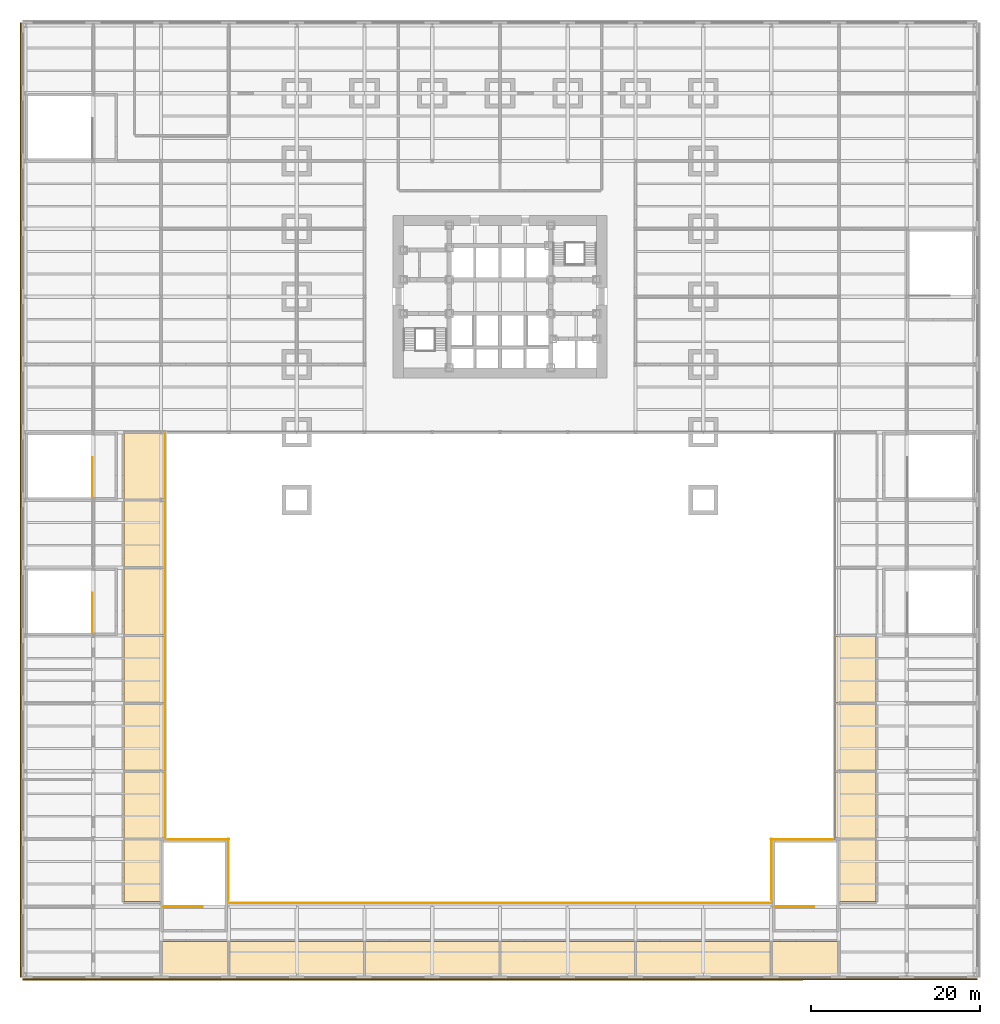
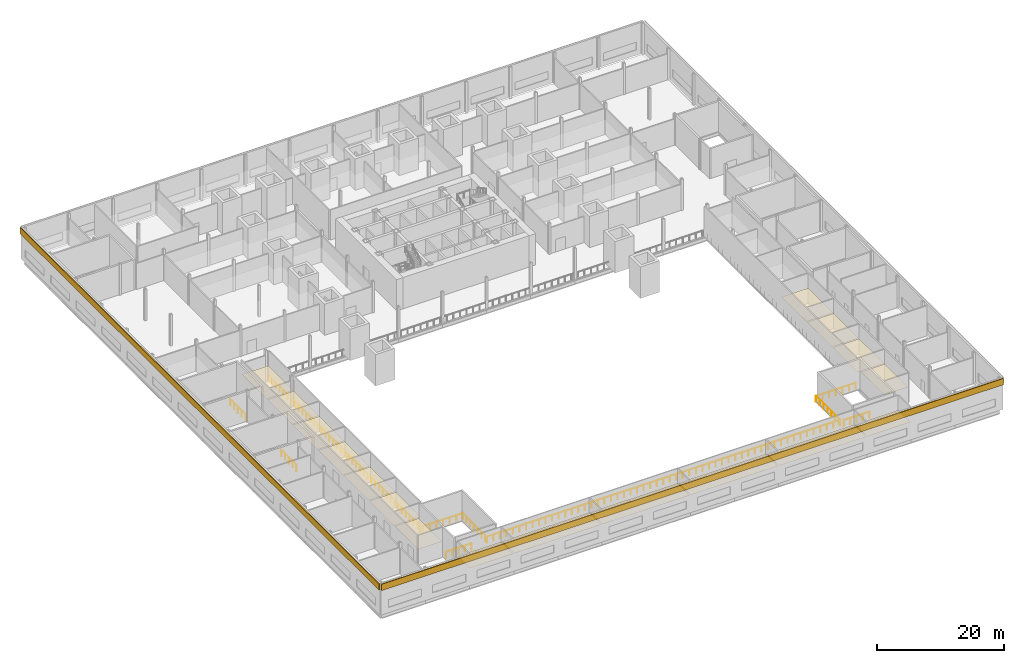
# One storey, part 18 of 21: 19 coverings, 10 railings.
"""IFC4 building model written with IfcOpenShell, lengths in metres."""

from ifc_helpers import new_model, si_unit, direction, frame, origin, origin_2d, place, context, subcontext, project, spatial, polyline, rectangle, circle, outline, extrude, material, layer, layer_set, type_object, element, save


model = new_model("IFC4")

# Units and contexts
model_context = context("Model", 3, precision=1e-05, world=origin(), true_north=direction((0.0, 1.0)))
body_context = subcontext(model_context, "Body", "Model", "MODEL_VIEW")
ifc_project = project(units=[si_unit("LENGTHUNIT", "METRE"), si_unit("AREAUNIT", "SQUARE_METRE"), si_unit("VOLUMEUNIT", "CUBIC_METRE"), si_unit("PLANEANGLEUNIT", "RADIAN"), si_unit("MASSUNIT", "GRAM", prefix="KILO")], contexts=[model_context])

# Site, building, storey
site_placement = place(None, origin())
site = spatial("IfcSite", under=ifc_project, at=site_placement, CompositionType="ELEMENT")
building_placement = place(site_placement, origin())
building = spatial("IfcBuilding", under=site, at=building_placement, Name="Daluyong Arena Tower", CompositionType="ELEMENT")
storey_placement = place(building_placement, frame((0.0, 0.0, 19.89990234375)))
storey = spatial("IfcBuildingStorey", under=building, at=storey_placement, Name="L04", CompositionType="ELEMENT", Elevation=19.89990234375)

# Railings
ifc_material_1 = material(Name="Steel guard with glass infill", Category="steel")
railing_type_1 = type_object("IfcRailingType", Name="Floor edge guard 1100", PredefinedType="GUARDRAIL", material=ifc_material_1)
railing_1_placement = place(storey_placement, frame((95.18994140625, 15.949951171875, 0.0)))
element("IfcRailing", 1, at=railing_1_placement, inside=storey, type_object=railing_type_1, Name="floor edge guard L04", PredefinedType="GUARDRAIL", context=body_context, shape_type="SweptSolid", body=[
    extrude(circle(Radius=0.02392578125, at=origin_2d()), frame((0.0, 0.0, 1.076171875), z_axis=(-1.0, 0.0, 0.0), x_axis=(0.0, -1.0, 0.0)), (0.0, 0.0, 1.0), 7.18994140625),
    extrude(circle(Radius=0.02099609375, at=origin_2d()), origin(), (0.0, 0.0, 1.0), 1.052001953125),
    extrude(circle(Radius=0.02099609375, at=origin_2d()), frame((-1.1982421875, 0.0, 0.0)), (0.0, 0.0, 1.0), 1.052001953125),
    extrude(circle(Radius=0.02099609375, at=origin_2d()), frame((-2.396728515625, 0.0, 0.0)), (0.0, 0.0, 1.0), 1.052001953125),
    extrude(circle(Radius=0.02099609375, at=origin_2d()), frame((-3.594970703125, 0.0, 0.0)), (0.0, 0.0, 1.0), 1.052001953125),
    extrude(circle(Radius=0.02099609375, at=origin_2d()), frame((-4.793212890625, 0.0, 0.0)), (0.0, 0.0, 1.0), 1.052001953125),
    extrude(circle(Radius=0.02099609375, at=origin_2d()), frame((-5.99169921875, 0.0, 0.0)), (0.0, 0.0, 1.0), 1.052001953125),
    extrude(circle(Radius=0.02099609375, at=origin_2d()), frame((-7.18994140625, 0.0, 0.0)), (0.0, 0.0, 1.0), 1.052001953125),
])
railing_2_placement = place(storey_placement, frame((88.050048828125, 16.0, 0.0)))
element("IfcRailing", 2, at=railing_2_placement, inside=storey, type_object=railing_type_1, Name="floor edge guard L04", PredefinedType="GUARDRAIL", context=body_context, shape_type="SweptSolid", body=[
    extrude(circle(Radius=0.02392578125, at=origin_2d()), frame((0.0, 0.0, 1.076171875), z_axis=(0.0, -1.0, 0.0), x_axis=(1.0, 0.0, 0.0)), (0.0, 0.0, 1.0), 7.18994140625),
    extrude(circle(Radius=0.02099609375, at=origin_2d()), origin(), (0.0, 0.0, 1.0), 1.052001953125),
    extrude(circle(Radius=0.02099609375, at=origin_2d()), frame((0.0, -1.1982421875, 0.0)), (0.0, 0.0, 1.0), 1.052001953125),
    extrude(circle(Radius=0.02099609375, at=origin_2d()), frame((0.0, -2.396728515625, 0.0)), (0.0, 0.0, 1.0), 1.052001953125),
    extrude(circle(Radius=0.02099609375, at=origin_2d()), frame((0.0, -3.594970703125, 0.0)), (0.0, 0.0, 1.0), 1.052001953125),
    extrude(circle(Radius=0.02099609375, at=origin_2d()), frame((0.0, -4.793212890625, 0.0)), (0.0, 0.0, 1.0), 1.052001953125),
    extrude(circle(Radius=0.02099609375, at=origin_2d()), frame((0.0, -5.99169921875, 0.0)), (0.0, 0.0, 1.0), 1.052001953125),
    extrude(circle(Radius=0.02099609375, at=origin_2d()), frame((0.0, -7.18994140625, 0.0)), (0.0, 0.0, 1.0), 1.052001953125),
])
railing_3_placement = place(storey_placement, frame((88.0, 8.449951171875, 0.0)))
element("IfcRailing", 3, at=railing_3_placement, inside=storey, type_object=railing_type_1, Name="floor edge guard L04", PredefinedType="GUARDRAIL", context=body_context, shape_type="SweptSolid", body=[
    extrude(circle(Radius=0.02392578125, at=origin_2d()), frame((0.0, 0.0, 1.076171875), z_axis=(-1.0, 0.0, 0.0), x_axis=(0.0, -1.0, 0.0)), (0.0, 0.0, 1.0), 64.0),
    extrude(circle(Radius=0.02099609375, at=origin_2d()), origin(), (0.0, 0.0, 1.0), 1.052001953125),
    extrude(circle(Radius=0.02099609375, at=origin_2d()), frame((-1.185302734375, 0.0, 0.0)), (0.0, 0.0, 1.0), 1.052001953125),
    extrude(circle(Radius=0.02099609375, at=origin_2d()), frame((-2.370361328125, 0.0, 0.0)), (0.0, 0.0, 1.0), 1.052001953125),
    extrude(circle(Radius=0.02099609375, at=origin_2d()), frame((-3.5556640625, 0.0, 0.0)), (0.0, 0.0, 1.0), 1.052001953125),
    extrude(circle(Radius=0.02099609375, at=origin_2d()), frame((-4.74072265625, 0.0, 0.0)), (0.0, 0.0, 1.0), 1.052001953125),
    extrude(circle(Radius=0.02099609375, at=origin_2d()), frame((-5.926025390625, 0.0, 0.0)), (0.0, 0.0, 1.0), 1.052001953125),
    extrude(circle(Radius=0.02099609375, at=origin_2d()), frame((-7.111083984375, 0.0, 0.0)), (0.0, 0.0, 1.0), 1.052001953125),
    extrude(circle(Radius=0.02099609375, at=origin_2d()), frame((-8.29638671875, 0.0, 0.0)), (0.0, 0.0, 1.0), 1.052001953125),
    extrude(circle(Radius=0.02099609375, at=origin_2d()), frame((-9.4814453125, 0.0, 0.0)), (0.0, 0.0, 1.0), 1.052001953125),
    extrude(circle(Radius=0.02099609375, at=origin_2d()), frame((-10.666748046875, 0.0, 0.0)), (0.0, 0.0, 1.0), 1.052001953125),
    extrude(circle(Radius=0.02099609375, at=origin_2d()), frame((-11.851806640625, 0.0, 0.0)), (0.0, 0.0, 1.0), 1.052001953125),
    extrude(circle(Radius=0.02099609375, at=origin_2d()), frame((-13.037109375, 0.0, 0.0)), (0.0, 0.0, 1.0), 1.052001953125),
    extrude(circle(Radius=0.02099609375, at=origin_2d()), frame((-14.22216796875, 0.0, 0.0)), (0.0, 0.0, 1.0), 1.052001953125),
    extrude(circle(Radius=0.02099609375, at=origin_2d()), frame((-15.407470703125, 0.0, 0.0)), (0.0, 0.0, 1.0), 1.052001953125),
    extrude(circle(Radius=0.02099609375, at=origin_2d()), frame((-16.592529296875, 0.0, 0.0)), (0.0, 0.0, 1.0), 1.052001953125),
    extrude(circle(Radius=0.02099609375, at=origin_2d()), frame((-17.77783203125, 0.0, 0.0)), (0.0, 0.0, 1.0), 1.052001953125),
    extrude(circle(Radius=0.02099609375, at=origin_2d()), frame((-18.962890625, 0.0, 0.0)), (0.0, 0.0, 1.0), 1.052001953125),
    extrude(circle(Radius=0.02099609375, at=origin_2d()), frame((-20.148193359375, 0.0, 0.0)), (0.0, 0.0, 1.0), 1.052001953125),
    extrude(circle(Radius=0.02099609375, at=origin_2d()), frame((-21.333251953125, 0.0, 0.0)), (0.0, 0.0, 1.0), 1.052001953125),
    extrude(circle(Radius=0.02099609375, at=origin_2d()), frame((-22.5185546875, 0.0, 0.0)), (0.0, 0.0, 1.0), 1.052001953125),
    extrude(circle(Radius=0.02099609375, at=origin_2d()), frame((-23.70361328125, 0.0, 0.0)), (0.0, 0.0, 1.0), 1.052001953125),
    extrude(circle(Radius=0.02099609375, at=origin_2d()), frame((-24.888916015625, 0.0, 0.0)), (0.0, 0.0, 1.0), 1.052001953125),
    extrude(circle(Radius=0.02099609375, at=origin_2d()), frame((-26.073974609375, 0.0, 0.0)), (0.0, 0.0, 1.0), 1.052001953125),
    extrude(circle(Radius=0.02099609375, at=origin_2d()), frame((-27.25927734375, 0.0, 0.0)), (0.0, 0.0, 1.0), 1.052001953125),
    extrude(circle(Radius=0.02099609375, at=origin_2d()), frame((-28.4443359375, 0.0, 0.0)), (0.0, 0.0, 1.0), 1.052001953125),
    extrude(circle(Radius=0.02099609375, at=origin_2d()), frame((-29.629638671875, 0.0, 0.0)), (0.0, 0.0, 1.0), 1.052001953125),
    extrude(circle(Radius=0.02099609375, at=origin_2d()), frame((-30.814697265625, 0.0, 0.0)), (0.0, 0.0, 1.0), 1.052001953125),
    extrude(circle(Radius=0.02099609375, at=origin_2d()), frame((-32.0, 0.0, 0.0)), (0.0, 0.0, 1.0), 1.052001953125),
    extrude(circle(Radius=0.02099609375, at=origin_2d()), frame((-33.185302734375, 0.0, 0.0)), (0.0, 0.0, 1.0), 1.052001953125),
    extrude(circle(Radius=0.02099609375, at=origin_2d()), frame((-34.370361328125, 0.0, 0.0)), (0.0, 0.0, 1.0), 1.052001953125),
    extrude(circle(Radius=0.02099609375, at=origin_2d()), frame((-35.5556640625, 0.0, 0.0)), (0.0, 0.0, 1.0), 1.052001953125),
    extrude(circle(Radius=0.02099609375, at=origin_2d()), frame((-36.74072265625, 0.0, 0.0)), (0.0, 0.0, 1.0), 1.052001953125),
    extrude(circle(Radius=0.02099609375, at=origin_2d()), frame((-37.926025390625, 0.0, 0.0)), (0.0, 0.0, 1.0), 1.052001953125),
    extrude(circle(Radius=0.02099609375, at=origin_2d()), frame((-39.111083984375, 0.0, 0.0)), (0.0, 0.0, 1.0), 1.052001953125),
    extrude(circle(Radius=0.02099609375, at=origin_2d()), frame((-40.29638671875, 0.0, 0.0)), (0.0, 0.0, 1.0), 1.052001953125),
    extrude(circle(Radius=0.02099609375, at=origin_2d()), frame((-41.4814453125, 0.0, 0.0)), (0.0, 0.0, 1.0), 1.052001953125),
    extrude(circle(Radius=0.02099609375, at=origin_2d()), frame((-42.666748046875, 0.0, 0.0)), (0.0, 0.0, 1.0), 1.052001953125),
    extrude(circle(Radius=0.02099609375, at=origin_2d()), frame((-43.851806640625, 0.0, 0.0)), (0.0, 0.0, 1.0), 1.052001953125),
    extrude(circle(Radius=0.02099609375, at=origin_2d()), frame((-45.037109375, 0.0, 0.0)), (0.0, 0.0, 1.0), 1.052001953125),
    extrude(circle(Radius=0.02099609375, at=origin_2d()), frame((-46.22216796875, 0.0, 0.0)), (0.0, 0.0, 1.0), 1.052001953125),
    extrude(circle(Radius=0.02099609375, at=origin_2d()), frame((-47.407470703125, 0.0, 0.0)), (0.0, 0.0, 1.0), 1.052001953125),
    extrude(circle(Radius=0.02099609375, at=origin_2d()), frame((-48.592529296875, 0.0, 0.0)), (0.0, 0.0, 1.0), 1.052001953125),
    extrude(circle(Radius=0.02099609375, at=origin_2d()), frame((-49.77783203125, 0.0, 0.0)), (0.0, 0.0, 1.0), 1.052001953125),
    extrude(circle(Radius=0.02099609375, at=origin_2d()), frame((-50.962890625, 0.0, 0.0)), (0.0, 0.0, 1.0), 1.052001953125),
    extrude(circle(Radius=0.02099609375, at=origin_2d()), frame((-52.148193359375, 0.0, 0.0)), (0.0, 0.0, 1.0), 1.052001953125),
    extrude(circle(Radius=0.02099609375, at=origin_2d()), frame((-53.333251953125, 0.0, 0.0)), (0.0, 0.0, 1.0), 1.052001953125),
    extrude(circle(Radius=0.02099609375, at=origin_2d()), frame((-54.5185546875, 0.0, 0.0)), (0.0, 0.0, 1.0), 1.052001953125),
    extrude(circle(Radius=0.02099609375, at=origin_2d()), frame((-55.70361328125, 0.0, 0.0)), (0.0, 0.0, 1.0), 1.052001953125),
    extrude(circle(Radius=0.02099609375, at=origin_2d()), frame((-56.888916015625, 0.0, 0.0)), (0.0, 0.0, 1.0), 1.052001953125),
    extrude(circle(Radius=0.02099609375, at=origin_2d()), frame((-58.073974609375, 0.0, 0.0)), (0.0, 0.0, 1.0), 1.052001953125),
    extrude(circle(Radius=0.02099609375, at=origin_2d()), frame((-59.25927734375, 0.0, 0.0)), (0.0, 0.0, 1.0), 1.052001953125),
    extrude(circle(Radius=0.02099609375, at=origin_2d()), frame((-60.4443359375, 0.0, 0.0)), (0.0, 0.0, 1.0), 1.052001953125),
    extrude(circle(Radius=0.02099609375, at=origin_2d()), frame((-61.629638671875, 0.0, 0.0)), (0.0, 0.0, 1.0), 1.052001953125),
    extrude(circle(Radius=0.02099609375, at=origin_2d()), frame((-62.814697265625, 0.0, 0.0)), (0.0, 0.0, 1.0), 1.052001953125),
    extrude(circle(Radius=0.02099609375, at=origin_2d()), frame((-64.0, 0.0, 0.0)), (0.0, 0.0, 1.0), 1.052001953125),
])
railing_4_placement = place(storey_placement, frame((23.949951171875, 8.81005859375, 0.0)))
element("IfcRailing", 4, at=railing_4_placement, inside=storey, type_object=railing_type_1, Name="floor edge guard L04", PredefinedType="GUARDRAIL", context=body_context, shape_type="SweptSolid", body=[
    extrude(circle(Radius=0.02392578125, at=origin_2d()), frame((0.0, 0.0, 1.076171875), z_axis=(0.0, 1.0, 0.0), x_axis=(-1.0, 0.0, 0.0)), (0.0, 0.0, 1.0), 7.18994140625),
    extrude(circle(Radius=0.02099609375, at=origin_2d()), origin(), (0.0, 0.0, 1.0), 1.052001953125),
    extrude(circle(Radius=0.02099609375, at=origin_2d()), frame((0.0, 1.1982421875, 0.0)), (0.0, 0.0, 1.0), 1.052001953125),
    extrude(circle(Radius=0.02099609375, at=origin_2d()), frame((0.0, 2.396728515625, 0.0)), (0.0, 0.0, 1.0), 1.052001953125),
    extrude(circle(Radius=0.02099609375, at=origin_2d()), frame((0.0, 3.594970703125, 0.0)), (0.0, 0.0, 1.0), 1.052001953125),
    extrude(circle(Radius=0.02099609375, at=origin_2d()), frame((0.0, 4.793212890625, 0.0)), (0.0, 0.0, 1.0), 1.052001953125),
    extrude(circle(Radius=0.02099609375, at=origin_2d()), frame((0.0, 5.99169921875, 0.0)), (0.0, 0.0, 1.0), 1.052001953125),
    extrude(circle(Radius=0.02099609375, at=origin_2d()), frame((0.0, 7.18994140625, 0.0)), (0.0, 0.0, 1.0), 1.052001953125),
])
railing_5_placement = place(storey_placement, frame((24.0, 15.949951171875, 0.0)))
element("IfcRailing", 5, at=railing_5_placement, inside=storey, type_object=railing_type_1, Name="floor edge guard L04", PredefinedType="GUARDRAIL", context=body_context, shape_type="SweptSolid", body=[
    extrude(circle(Radius=0.02392578125, at=origin_2d()), frame((0.0, 0.0, 1.076171875), z_axis=(-1.0, 0.0, 0.0), x_axis=(0.0, -1.0, 0.0)), (0.0, 0.0, 1.0), 7.18994140625),
    extrude(circle(Radius=0.02099609375, at=origin_2d()), origin(), (0.0, 0.0, 1.0), 1.052001953125),
    extrude(circle(Radius=0.02099609375, at=origin_2d()), frame((-1.1982421875, 0.0, 0.0)), (0.0, 0.0, 1.0), 1.052001953125),
    extrude(circle(Radius=0.02099609375, at=origin_2d()), frame((-2.396728515625, 0.0, 0.0)), (0.0, 0.0, 1.0), 1.052001953125),
    extrude(circle(Radius=0.02099609375, at=origin_2d()), frame((-3.594970703125, 0.0, 0.0)), (0.0, 0.0, 1.0), 1.052001953125),
    extrude(circle(Radius=0.02099609375, at=origin_2d()), frame((-4.793212890625, 0.0, 0.0)), (0.0, 0.0, 1.0), 1.052001953125),
    extrude(circle(Radius=0.02099609375, at=origin_2d()), frame((-5.99169921875, 0.0, 0.0)), (0.0, 0.0, 1.0), 1.052001953125),
    extrude(circle(Radius=0.02099609375, at=origin_2d()), frame((-7.18994140625, 0.0, 0.0)), (0.0, 0.0, 1.0), 1.052001953125),
])
railing_6_placement = place(storey_placement, frame((16.449951171875, 16.0, 0.0)))
element("IfcRailing", 6, at=railing_6_placement, inside=storey, type_object=railing_type_1, Name="floor edge guard L04", PredefinedType="GUARDRAIL", context=body_context, shape_type="SweptSolid", body=[
    extrude(circle(Radius=0.02392578125, at=origin_2d()), frame((0.0, 0.0, 1.076171875), z_axis=(0.0, 1.0, 0.0), x_axis=(-1.0, 0.0, 0.0)), (0.0, 0.0, 1.0), 48.0),
    extrude(circle(Radius=0.02099609375, at=origin_2d()), origin(), (0.0, 0.0, 1.0), 1.052001953125),
    extrude(circle(Radius=0.02099609375, at=origin_2d()), frame((0.0, 1.199951171875, 0.0)), (0.0, 0.0, 1.0), 1.052001953125),
    extrude(circle(Radius=0.02099609375, at=origin_2d()), frame((0.0, 2.39990234375, 0.0)), (0.0, 0.0, 1.0), 1.052001953125),
    extrude(circle(Radius=0.02099609375, at=origin_2d()), frame((0.0, 3.60009765625, 0.0)), (0.0, 0.0, 1.0), 1.052001953125),
    extrude(circle(Radius=0.02099609375, at=origin_2d()), frame((0.0, 4.800048828125, 0.0)), (0.0, 0.0, 1.0), 1.052001953125),
    extrude(circle(Radius=0.02099609375, at=origin_2d()), frame((0.0, 6.0, 0.0)), (0.0, 0.0, 1.0), 1.052001953125),
    extrude(circle(Radius=0.02099609375, at=origin_2d()), frame((0.0, 7.199951171875, 0.0)), (0.0, 0.0, 1.0), 1.052001953125),
    extrude(circle(Radius=0.02099609375, at=origin_2d()), frame((0.0, 8.39990234375, 0.0)), (0.0, 0.0, 1.0), 1.052001953125),
    extrude(circle(Radius=0.02099609375, at=origin_2d()), frame((0.0, 9.60009765625, 0.0)), (0.0, 0.0, 1.0), 1.052001953125),
    extrude(circle(Radius=0.02099609375, at=origin_2d()), frame((0.0, 10.800048828125, 0.0)), (0.0, 0.0, 1.0), 1.052001953125),
    extrude(circle(Radius=0.02099609375, at=origin_2d()), frame((0.0, 12.0, 0.0)), (0.0, 0.0, 1.0), 1.052001953125),
    extrude(circle(Radius=0.02099609375, at=origin_2d()), frame((0.0, 13.199951171875, 0.0)), (0.0, 0.0, 1.0), 1.052001953125),
    extrude(circle(Radius=0.02099609375, at=origin_2d()), frame((0.0, 14.39990234375, 0.0)), (0.0, 0.0, 1.0), 1.052001953125),
    extrude(circle(Radius=0.02099609375, at=origin_2d()), frame((0.0, 15.60009765625, 0.0)), (0.0, 0.0, 1.0), 1.052001953125),
    extrude(circle(Radius=0.02099609375, at=origin_2d()), frame((0.0, 16.800048828125, 0.0)), (0.0, 0.0, 1.0), 1.052001953125),
    extrude(circle(Radius=0.02099609375, at=origin_2d()), frame((0.0, 18.0, 0.0)), (0.0, 0.0, 1.0), 1.052001953125),
    extrude(circle(Radius=0.02099609375, at=origin_2d()), frame((0.0, 19.199951171875, 0.0)), (0.0, 0.0, 1.0), 1.052001953125),
    extrude(circle(Radius=0.02099609375, at=origin_2d()), frame((0.0, 20.39990234375, 0.0)), (0.0, 0.0, 1.0), 1.052001953125),
    extrude(circle(Radius=0.02099609375, at=origin_2d()), frame((0.0, 21.60009765625, 0.0)), (0.0, 0.0, 1.0), 1.052001953125),
    extrude(circle(Radius=0.02099609375, at=origin_2d()), frame((0.0, 22.800048828125, 0.0)), (0.0, 0.0, 1.0), 1.052001953125),
    extrude(circle(Radius=0.02099609375, at=origin_2d()), frame((0.0, 24.0, 0.0)), (0.0, 0.0, 1.0), 1.052001953125),
    extrude(circle(Radius=0.02099609375, at=origin_2d()), frame((0.0, 25.199951171875, 0.0)), (0.0, 0.0, 1.0), 1.052001953125),
    extrude(circle(Radius=0.02099609375, at=origin_2d()), frame((0.0, 26.39990234375, 0.0)), (0.0, 0.0, 1.0), 1.052001953125),
    extrude(circle(Radius=0.02099609375, at=origin_2d()), frame((0.0, 27.60009765625, 0.0)), (0.0, 0.0, 1.0), 1.052001953125),
    extrude(circle(Radius=0.02099609375, at=origin_2d()), frame((0.0, 28.800048828125, 0.0)), (0.0, 0.0, 1.0), 1.052001953125),
    extrude(circle(Radius=0.02099609375, at=origin_2d()), frame((0.0, 30.0, 0.0)), (0.0, 0.0, 1.0), 1.052001953125),
    extrude(circle(Radius=0.02099609375, at=origin_2d()), frame((0.0, 31.199951171875, 0.0)), (0.0, 0.0, 1.0), 1.052001953125),
    extrude(circle(Radius=0.02099609375, at=origin_2d()), frame((0.0, 32.39990234375, 0.0)), (0.0, 0.0, 1.0), 1.052001953125),
    extrude(circle(Radius=0.02099609375, at=origin_2d()), frame((0.0, 33.60009765625, 0.0)), (0.0, 0.0, 1.0), 1.052001953125),
    extrude(circle(Radius=0.02099609375, at=origin_2d()), frame((0.0, 34.800048828125, 0.0)), (0.0, 0.0, 1.0), 1.052001953125),
    extrude(circle(Radius=0.02099609375, at=origin_2d()), frame((0.0, 36.0, 0.0)), (0.0, 0.0, 1.0), 1.052001953125),
    extrude(circle(Radius=0.02099609375, at=origin_2d()), frame((0.0, 37.199951171875, 0.0)), (0.0, 0.0, 1.0), 1.052001953125),
    extrude(circle(Radius=0.02099609375, at=origin_2d()), frame((0.0, 38.39990234375, 0.0)), (0.0, 0.0, 1.0), 1.052001953125),
    extrude(circle(Radius=0.02099609375, at=origin_2d()), frame((0.0, 39.60009765625, 0.0)), (0.0, 0.0, 1.0), 1.052001953125),
    extrude(circle(Radius=0.02099609375, at=origin_2d()), frame((0.0, 40.800048828125, 0.0)), (0.0, 0.0, 1.0), 1.052001953125),
    extrude(circle(Radius=0.02099609375, at=origin_2d()), frame((0.0, 42.0, 0.0)), (0.0, 0.0, 1.0), 1.052001953125),
    extrude(circle(Radius=0.02099609375, at=origin_2d()), frame((0.0, 43.199951171875, 0.0)), (0.0, 0.0, 1.0), 1.052001953125),
    extrude(circle(Radius=0.02099609375, at=origin_2d()), frame((0.0, 44.39990234375, 0.0)), (0.0, 0.0, 1.0), 1.052001953125),
    extrude(circle(Radius=0.02099609375, at=origin_2d()), frame((0.0, 45.60009765625, 0.0)), (0.0, 0.0, 1.0), 1.052001953125),
    extrude(circle(Radius=0.02099609375, at=origin_2d()), frame((0.0, 46.800048828125, 0.0)), (0.0, 0.0, 1.0), 1.052001953125),
    extrude(circle(Radius=0.02099609375, at=origin_2d()), frame((0.0, 48.0, 0.0)), (0.0, 0.0, 1.0), 1.052001953125),
])

# Coverings
ifc_material_2 = material(Name="Mineral fibre ceiling tile", Category="gypsum board")
ifc_layer_1 = layer(ifc_material_2, 0.02001953125)
ifc_layer_set_1 = layer_set([ifc_layer_1], Name="Mineral fibre ceiling tile")
covering_type_1 = type_object("IfcCoveringType", Name="Office ceiling", PredefinedType="CEILING", material=ifc_layer_set_1)
covering_1_placement = place(storey_placement, frame((0.0, 0.0, 2.900146484375)))
element("IfcCovering", 7, at=covering_1_placement, inside=storey, type_object=covering_type_1, Name="ceiling L04-23", PredefinedType="CEILING", context=body_context, shape_type="SweptSolid", body=[
    extrude(outline(polyline([(23.89990234375, 0.10009765625), (23.89990234375, 3.89990234375), (16.10009765625, 3.89990234375), (16.10009765625, 0.10009765625), (23.89990234375, 0.10009765625)])), origin(), (0.0, 0.0, 1.0), 0.02001953125),
])
covering_2_placement = place(storey_placement, frame((0.0, 0.0, 2.900146484375)))
element("IfcCovering", 8, at=covering_2_placement, inside=storey, type_object=covering_type_1, Name="ceiling L04-24", PredefinedType="CEILING", context=body_context, shape_type="SweptSolid", body=[
    extrude(outline(polyline([(95.89990234375, 0.10009765625), (95.89990234375, 3.89990234375), (88.10009765625, 3.89990234375), (88.10009765625, 0.10009765625), (95.89990234375, 0.10009765625)])), origin(), (0.0, 0.0, 1.0), 0.02001953125),
])
covering_3_placement = place(storey_placement, frame((0.0, 0.0, 2.900146484375)))
element("IfcCovering", 9, at=covering_3_placement, inside=storey, type_object=covering_type_1, Name="ceiling L04-29", PredefinedType="CEILING", context=body_context, shape_type="SweptSolid", body=[
    extrude(outline(polyline([(15.89990234375, 8.60009765625), (15.89990234375, 15.89990234375), (11.60009765625, 15.89990234375), (11.60009765625, 8.60009765625), (15.89990234375, 8.60009765625)])), origin(), (0.0, 0.0, 1.0), 0.02001953125),
])
covering_4_placement = place(storey_placement, frame((0.0, 0.0, 2.900146484375)))
element("IfcCovering", 10, at=covering_4_placement, inside=storey, type_object=covering_type_1, Name="ceiling L04-30", PredefinedType="CEILING", context=body_context, shape_type="SweptSolid", body=[
    extrude(outline(polyline([(100.39990234375, 8.60009765625), (100.39990234375, 15.89990234375), (96.10009765625, 15.89990234375), (96.10009765625, 8.60009765625), (100.39990234375, 8.60009765625)])), origin(), (0.0, 0.0, 1.0), 0.02001953125),
])
covering_5_placement = place(storey_placement, frame((0.0, 0.0, 2.900146484375)))
element("IfcCovering", 11, at=covering_5_placement, inside=storey, type_object=covering_type_1, Name="ceiling L04-31", PredefinedType="CEILING", context=body_context, shape_type="SweptSolid", body=[
    extrude(outline(polyline([(16.39990234375, 16.10009765625), (16.39990234375, 23.89990234375), (11.60009765625, 23.89990234375), (11.60009765625, 16.10009765625), (16.39990234375, 16.10009765625)])), origin(), (0.0, 0.0, 1.0), 0.02001953125),
])
covering_6_placement = place(storey_placement, frame((0.0, 0.0, 2.900146484375)))
element("IfcCovering", 12, at=covering_6_placement, inside=storey, type_object=covering_type_1, Name="ceiling L04-32", PredefinedType="CEILING", context=body_context, shape_type="SweptSolid", body=[
    extrude(outline(polyline([(16.39990234375, 24.10009765625), (16.39990234375, 31.89990234375), (11.60009765625, 31.89990234375), (11.60009765625, 24.10009765625), (16.39990234375, 24.10009765625)])), origin(), (0.0, 0.0, 1.0), 0.02001953125),
])
covering_7_placement = place(storey_placement, frame((0.0, 0.0, 2.900146484375)))
element("IfcCovering", 13, at=covering_7_placement, inside=storey, type_object=covering_type_1, Name="ceiling L04-33", PredefinedType="CEILING", context=body_context, shape_type="SweptSolid", body=[
    extrude(outline(polyline([(16.39990234375, 32.10009765625), (16.39990234375, 39.89990234375), (11.60009765625, 39.89990234375), (11.60009765625, 32.10009765625), (16.39990234375, 32.10009765625)])), origin(), (0.0, 0.0, 1.0), 0.02001953125),
])
covering_8_placement = place(storey_placement, frame((0.0, 0.0, 2.900146484375)))
element("IfcCovering", 14, at=covering_8_placement, inside=storey, type_object=covering_type_1, Name="ceiling L04-34", PredefinedType="CEILING", context=body_context, shape_type="SweptSolid", body=[
    extrude(outline(polyline([(16.39990234375, 40.10009765625), (16.39990234375, 47.89990234375), (11.60009765625, 47.89990234375), (11.60009765625, 40.10009765625), (16.39990234375, 40.10009765625)])), origin(), (0.0, 0.0, 1.0), 0.02001953125),
])
covering_9_placement = place(storey_placement, frame((0.0, 0.0, 2.900146484375)))
element("IfcCovering", 15, at=covering_9_placement, inside=storey, type_object=covering_type_1, Name="ceiling L04-35", PredefinedType="CEILING", context=body_context, shape_type="SweptSolid", body=[
    extrude(outline(polyline([(16.39990234375, 48.10009765625), (16.39990234375, 55.89990234375), (11.60009765625, 55.89990234375), (11.60009765625, 48.10009765625), (16.39990234375, 48.10009765625)])), origin(), (0.0, 0.0, 1.0), 0.02001953125),
])
covering_10_placement = place(storey_placement, frame((0.0, 0.0, 2.900146484375)))
element("IfcCovering", 16, at=covering_10_placement, inside=storey, type_object=covering_type_1, Name="ceiling L04-36", PredefinedType="CEILING", context=body_context, shape_type="SweptSolid", body=[
    extrude(outline(polyline([(16.39990234375, 56.10009765625), (16.39990234375, 63.89990234375), (11.60009765625, 63.89990234375), (11.60009765625, 56.10009765625), (16.39990234375, 56.10009765625)])), origin(), (0.0, 0.0, 1.0), 0.02001953125),
])
covering_11_placement = place(storey_placement, frame((0.0, 0.0, 2.900146484375)))
element("IfcCovering", 17, at=covering_11_placement, inside=storey, type_object=covering_type_1, Name="ceiling L04-37", PredefinedType="CEILING", context=body_context, shape_type="SweptSolid", body=[
    extrude(outline(polyline([(100.39990234375, 16.10009765625), (100.39990234375, 23.89990234375), (95.60009765625, 23.89990234375), (95.60009765625, 16.10009765625), (100.39990234375, 16.10009765625)])), origin(), (0.0, 0.0, 1.0), 0.02001953125),
])
covering_12_placement = place(storey_placement, frame((0.0, 0.0, 2.900146484375)))
element("IfcCovering", 18, at=covering_12_placement, inside=storey, type_object=covering_type_1, Name="ceiling L04-38", PredefinedType="CEILING", context=body_context, shape_type="SweptSolid", body=[
    extrude(outline(polyline([(100.39990234375, 24.10009765625), (100.39990234375, 31.89990234375), (95.60009765625, 31.89990234375), (95.60009765625, 24.10009765625), (100.39990234375, 24.10009765625)])), origin(), (0.0, 0.0, 1.0), 0.02001953125),
])
covering_13_placement = place(storey_placement, frame((0.0, 0.0, 2.900146484375)))
element("IfcCovering", 19, at=covering_13_placement, inside=storey, type_object=covering_type_1, Name="ceiling L04-39", PredefinedType="CEILING", context=body_context, shape_type="SweptSolid", body=[
    extrude(outline(polyline([(100.39990234375, 32.10009765625), (100.39990234375, 39.89990234375), (95.60009765625, 39.89990234375), (95.60009765625, 32.10009765625), (100.39990234375, 32.10009765625)])), origin(), (0.0, 0.0, 1.0), 0.02001953125),
])
covering_14_placement = place(storey_placement, frame((0.0, 0.0, 2.900146484375)))
element("IfcCovering", 20, at=covering_14_placement, inside=storey, type_object=covering_type_1, Name="ceiling L04-43", PredefinedType="CEILING", context=body_context, shape_type="SweptSolid", body=[
    extrude(outline(polyline([(39.89990234375, 0.10009765625), (39.89990234375, 3.89990234375), (24.10009765625, 3.89990234375), (24.10009765625, 0.10009765625), (39.89990234375, 0.10009765625)])), origin(), (0.0, 0.0, 1.0), 0.02001953125),
])
covering_15_placement = place(storey_placement, frame((0.0, 0.0, 2.900146484375)))
element("IfcCovering", 21, at=covering_15_placement, inside=storey, type_object=covering_type_1, Name="ceiling L04-44", PredefinedType="CEILING", context=body_context, shape_type="SweptSolid", body=[
    extrude(outline(polyline([(55.89990234375, 0.10009765625), (55.89990234375, 3.89990234375), (40.10009765625, 3.89990234375), (40.10009765625, 0.10009765625), (55.89990234375, 0.10009765625)])), origin(), (0.0, 0.0, 1.0), 0.02001953125),
])
covering_16_placement = place(storey_placement, frame((0.0, 0.0, 2.900146484375)))
element("IfcCovering", 22, at=covering_16_placement, inside=storey, type_object=covering_type_1, Name="ceiling L04-45", PredefinedType="CEILING", context=body_context, shape_type="SweptSolid", body=[
    extrude(outline(polyline([(71.89990234375, 0.10009765625), (71.89990234375, 3.89990234375), (56.10009765625, 3.89990234375), (56.10009765625, 0.10009765625), (71.89990234375, 0.10009765625)])), origin(), (0.0, 0.0, 1.0), 0.02001953125),
])
covering_17_placement = place(storey_placement, frame((0.0, 0.0, 2.900146484375)))
element("IfcCovering", 23, at=covering_17_placement, inside=storey, type_object=covering_type_1, Name="ceiling L04-46", PredefinedType="CEILING", context=body_context, shape_type="SweptSolid", body=[
    extrude(outline(polyline([(87.89990234375, 0.10009765625), (87.89990234375, 3.89990234375), (72.10009765625, 3.89990234375), (72.10009765625, 0.10009765625), (87.89990234375, 0.10009765625)])), origin(), (0.0, 0.0, 1.0), 0.02001953125),
])
ifc_material_3 = material(Name="Red-pigmented glass fibre reinforced concrete", Category="concrete")
ifc_layer_2 = layer(ifc_material_3, 0.14990234375)
ifc_layer_set_2 = layer_set([ifc_layer_2], Name="Red-pigmented glass fibre reinforced concrete")
covering_type_2 = type_object("IfcCoveringType", Name="Podium band cladding", PredefinedType="CLADDING", material=ifc_layer_set_2)
for number, where, z_axis, x_axis, name in (
    (24, (56.0, -0.574951171875, 4.80029296875), (0.0, 0.0, 1.0), (1.0, 0.0, 0.0), "podium band S L04"),
    (25, (-0.574951171875, 56.0, 4.80029296875), (0.0, 0.0, 1.0), (0.0, -1.0, 0.0), "podium band W L04"),
):
    element("IfcCovering", number, at=place(storey_placement, frame(where, z_axis=z_axis, x_axis=x_axis)), inside=storey, type_object=covering_type_2, Name=name, PredefinedType="CLADDING", context=body_context, shape_type="SweptSolid", body=[
        extrude(rectangle(XDim=112.699951171875, YDim=0.14990234375, at=origin_2d()), origin(), (0.0, 0.0, 1.0), 1.199951171875),
    ])

# Railings
ifc_material_4 = material(Name="Steel balustrade", Category="steel")
railing_type_2 = type_object("IfcRailingType", Name="Stair well guard 1200", PredefinedType="GUARDRAIL", material=ifc_material_4)
railing_7_placement = place(storey_placement, frame((16.300048828125, 7.9599609375, 0.0)))
element("IfcRailing", 26, at=railing_7_placement, inside=storey, type_object=railing_type_2, Name="stair well guard L04", PredefinedType="GUARDRAIL", context=body_context, shape_type="SweptSolid", body=[
    extrude(circle(Radius=0.02392578125, at=origin_2d()), frame((0.0, 0.0, 1.17578125), z_axis=(1.0, 0.0, 0.0), x_axis=(0.0, 1.0, 0.0)), (0.0, 0.0, 1.0), 4.599853515625),
    extrude(circle(Radius=0.02099609375, at=origin_2d()), origin(), (0.0, 0.0, 1.0), 1.15185546875),
    extrude(circle(Radius=0.02099609375, at=origin_2d()), frame((1.14990234375, 0.0, 0.0)), (0.0, 0.0, 1.0), 1.15185546875),
    extrude(circle(Radius=0.02099609375, at=origin_2d()), frame((2.2998046875, 0.0, 0.0)), (0.0, 0.0, 1.0), 1.15185546875),
    extrude(circle(Radius=0.02099609375, at=origin_2d()), frame((3.449951171875, 0.0, 0.0)), (0.0, 0.0, 1.0), 1.15185546875),
    extrude(circle(Radius=0.02099609375, at=origin_2d()), frame((4.599853515625, 0.0, 0.0)), (0.0, 0.0, 1.0), 1.15185546875),
])
railing_8_placement = place(storey_placement, frame((88.449951171875, 7.9599609375, 0.0)))
element("IfcRailing", 27, at=railing_8_placement, inside=storey, type_object=railing_type_2, Name="stair well guard L04", PredefinedType="GUARDRAIL", context=body_context, shape_type="SweptSolid", body=[
    extrude(circle(Radius=0.02392578125, at=origin_2d()), frame((0.0, 0.0, 1.17578125), z_axis=(1.0, 0.0, 0.0), x_axis=(0.0, 1.0, 0.0)), (0.0, 0.0, 1.0), 4.60009765625),
    extrude(circle(Radius=0.02099609375, at=origin_2d()), origin(), (0.0, 0.0, 1.0), 1.15185546875),
    extrude(circle(Radius=0.02099609375, at=origin_2d()), frame((1.14990234375, 0.0, 0.0)), (0.0, 0.0, 1.0), 1.15185546875),
    extrude(circle(Radius=0.02099609375, at=origin_2d()), frame((2.300048828125, 0.0, 0.0)), (0.0, 0.0, 1.0), 1.15185546875),
    extrude(circle(Radius=0.02099609375, at=origin_2d()), frame((3.4501953125, 0.0, 0.0)), (0.0, 0.0, 1.0), 1.15185546875),
    extrude(circle(Radius=0.02099609375, at=origin_2d()), frame((4.60009765625, 0.0, 0.0)), (0.0, 0.0, 1.0), 1.15185546875),
])
for number, where, name in (
    (28, (7.889892578125, 40.300048828125, 0.0), "stair well guard L04"),
    (29, (7.889892578125, 56.300048828125, 0.0), "stair well guard L04"),
):
    element("IfcRailing", number, at=place(storey_placement, frame(where)), inside=storey, type_object=railing_type_2, Name=name, PredefinedType="GUARDRAIL", context=body_context, shape_type="SweptSolid", body=[
        extrude(circle(Radius=0.02392578125, at=origin_2d()), frame((0.0, 0.0, 1.17578125), z_axis=(0.0, 1.0, 0.0), x_axis=(-1.0, 0.0, 0.0)), (0.0, 0.0, 1.0), 4.75),
        extrude(circle(Radius=0.02099609375, at=origin_2d()), origin(), (0.0, 0.0, 1.0), 1.15185546875),
        extrude(circle(Radius=0.02099609375, at=origin_2d()), frame((0.0, 1.1875, 0.0)), (0.0, 0.0, 1.0), 1.15185546875),
        extrude(circle(Radius=0.02099609375, at=origin_2d()), frame((0.0, 2.375, 0.0)), (0.0, 0.0, 1.0), 1.15185546875),
        extrude(circle(Radius=0.02099609375, at=origin_2d()), frame((0.0, 3.5625, 0.0)), (0.0, 0.0, 1.0), 1.15185546875),
        extrude(circle(Radius=0.02099609375, at=origin_2d()), frame((0.0, 4.75, 0.0)), (0.0, 0.0, 1.0), 1.15185546875),
    ])

save(model, "model.ifc")
